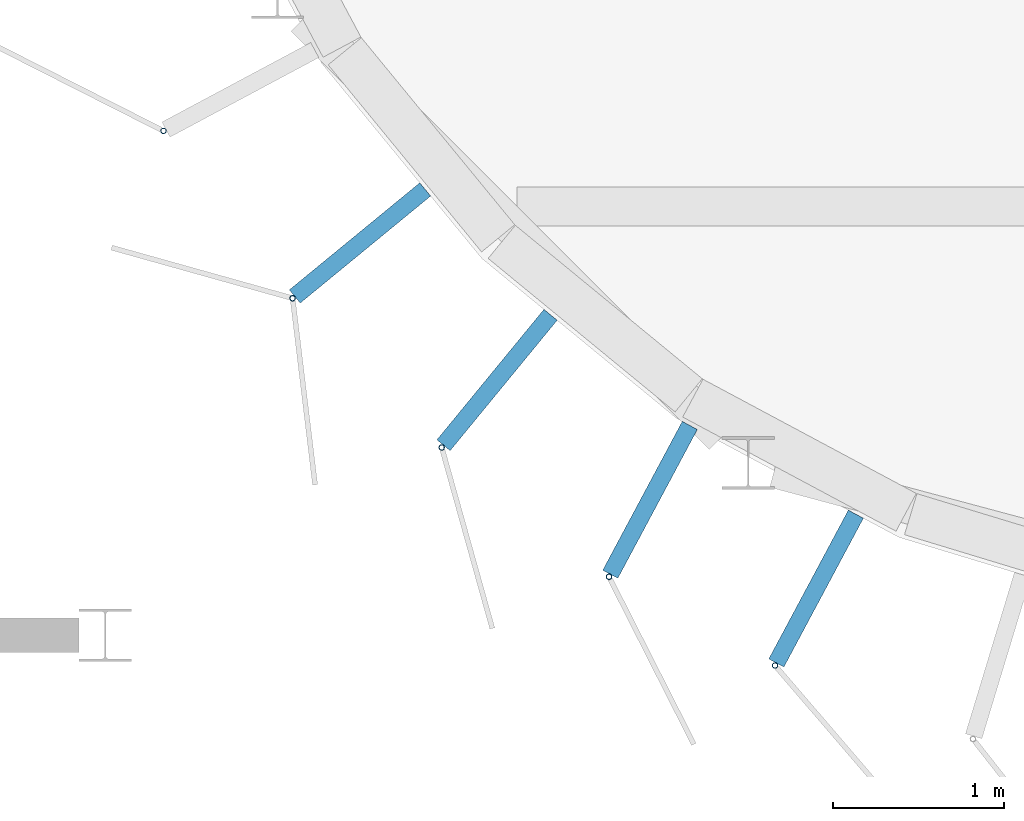
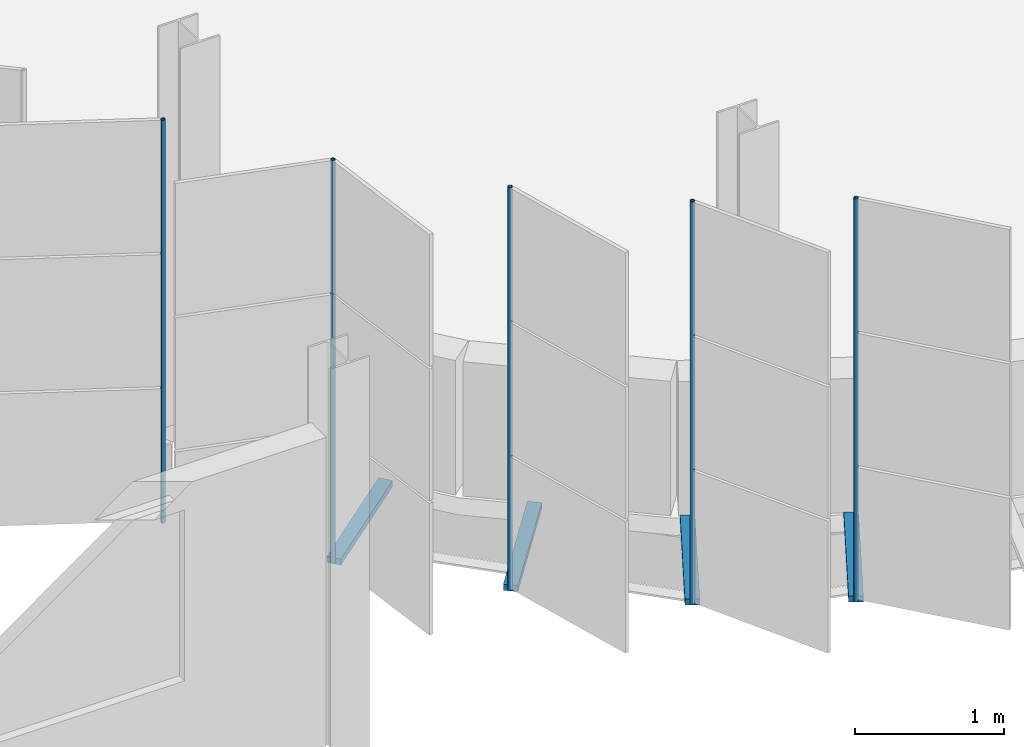
# One storey, part 89 of 199: 9 discrete accessories.
"""IFC4 building model written with IfcOpenShell, lengths in metres."""

from ifc_helpers import new_model, si_unit, direction, frame, origin, origin_2d, place, context, subcontext, project, spatial, rectangle, hollow_circle, extrude, material, material_profile, profile_set, type_object, element, save


model = new_model("IFC4")

# Units and contexts
model_context = context("Model", 3, precision=1e-05, world=origin(), true_north=direction((0.0, 1.0)))
body_context = subcontext(model_context, "Body", "Model", "MODEL_VIEW")
ifc_project = project(units=[si_unit("LENGTHUNIT", "METRE"), si_unit("AREAUNIT", "SQUARE_METRE"), si_unit("VOLUMEUNIT", "CUBIC_METRE"), si_unit("PLANEANGLEUNIT", "RADIAN"), si_unit("MASSUNIT", "GRAM", prefix="KILO")], contexts=[model_context])

# Site, building, storey
site_placement = place(None, origin())
site = spatial("IfcSite", under=ifc_project, at=site_placement, CompositionType="ELEMENT")
building_placement = place(site_placement, origin())
building = spatial("IfcBuilding", under=site, at=building_placement, Name="Parallax Yard Mobility Hub", CompositionType="ELEMENT")
storey_placement = place(building_placement, frame((0.0, 0.0, 9.89990234375)))
storey = spatial("IfcBuildingStorey", under=building, at=storey_placement, Name="L03", CompositionType="ELEMENT", Elevation=9.89990234375)

# Discrete accessories
ifc_material_1 = material(Name="Steel ASTM A36, hot-dip galvanised", Category="steel")
discrete_accessory_type_1 = type_object("IfcDiscreteAccessoryType", Name="Hinge bracket plate 100x50", PredefinedType="BRACKET", material=ifc_material_1)
for number, where, z_axis, x_axis, name in (
    (1, (196.485595703125, 24.7880859375, -0.02490234375), (0.0, 0.0, 1.0), (-0.773010453363, -0.634393284164, 0.0), "Hinge bracket plate bay 30.6 level L03"),
    (2, (197.284912109375, 23.988525390625, -0.02490234375), (0.0, 0.0, 1.0), (-0.634393284164, -0.773010453363, 0.0), "Hinge bracket plate bay 30.7 level L03"),
    (3, (198.177490234375, 23.289794921875, -0.02490234375), (0.0, 0.0, 1.0), (-0.471396736826, -0.881921264348, 0.0), "Hinge bracket plate bay 30.8 level L03"),
    (4, (199.14599609375, 22.772216796875, -0.02490234375), (0.0, 0.0, 1.0), (-0.471396736826, -0.881921264348, 0.0), "Hinge bracket plate bay 30.9 level L03"),
):
    element("IfcDiscreteAccessory", number, at=place(storey_placement, frame(where, z_axis=z_axis, x_axis=x_axis)), inside=storey, type_object=discrete_accessory_type_1, Name=name, PredefinedType="BRACKET", context=body_context, shape_type="SweptSolid", body=[
        extrude(rectangle(XDim=0.984130859375, YDim=0.10009765625, at=origin_2d()), origin(), (0.0, 0.0, 1.0), 0.050048828125),
    ])
ifc_material_2 = material(Name="Steel ASTM A500 Gr C, hot-dip galvanised", Category="steel")
ifc_material_profile = material_profile(ifc_material_2, hollow_circle(Radius=0.016845703125, WallThickness=0.003173828125, at=origin_2d()), Name="CHS 33.7x3.2")
ifc_profile_set = profile_set([ifc_material_profile], Name="Steel ASTM A500 Gr C, hot-dip galvanised")
discrete_accessory_type_2 = type_object("IfcDiscreteAccessoryType", Name="Hinge post CHS 33.7x3.2", PredefinedType="BRACKET", material=ifc_profile_set)
for number, where, z_axis, x_axis, name in (
    (5, (195.33935546875, 25.441650390625, 0.0), (0.0, 0.0, 1.0), (1.0, 0.0, 0.0), "Hinge post bay 30.5 level L03"),
    (6, (196.0927734375, 24.465576171875, 0.0), (0.0, 0.0, 1.0), (1.0, 0.0, 0.0), "Hinge post bay 30.6 level L03"),
    (7, (196.962158203125, 23.595458984375, 0.0), (0.0, 0.0, 1.0), (1.0, 0.0, 0.0), "Hinge post bay 30.7 level L03"),
    (8, (197.937744140625, 22.84130859375, 0.0), (0.0, 0.0, 1.0), (1.0, 0.0, 0.0), "Hinge post bay 30.8 level L03"),
    (9, (198.90625, 22.32373046875, 0.0), (0.0, 0.0, 1.0), (1.0, 0.0, 0.0), "Hinge post bay 30.9 level L03"),
):
    element("IfcDiscreteAccessory", number, at=place(storey_placement, frame(where, z_axis=z_axis, x_axis=x_axis)), inside=storey, type_object=discrete_accessory_type_2, Name=name, PredefinedType="BRACKET", context=body_context, shape_type="SweptSolid", body=[
        extrude(hollow_circle(Radius=0.016845703125, WallThickness=0.003173828125, at=origin_2d()), origin(), (0.0, 0.0, 1.0), 3.300048828125),
    ])

save(model, "model.ifc")
